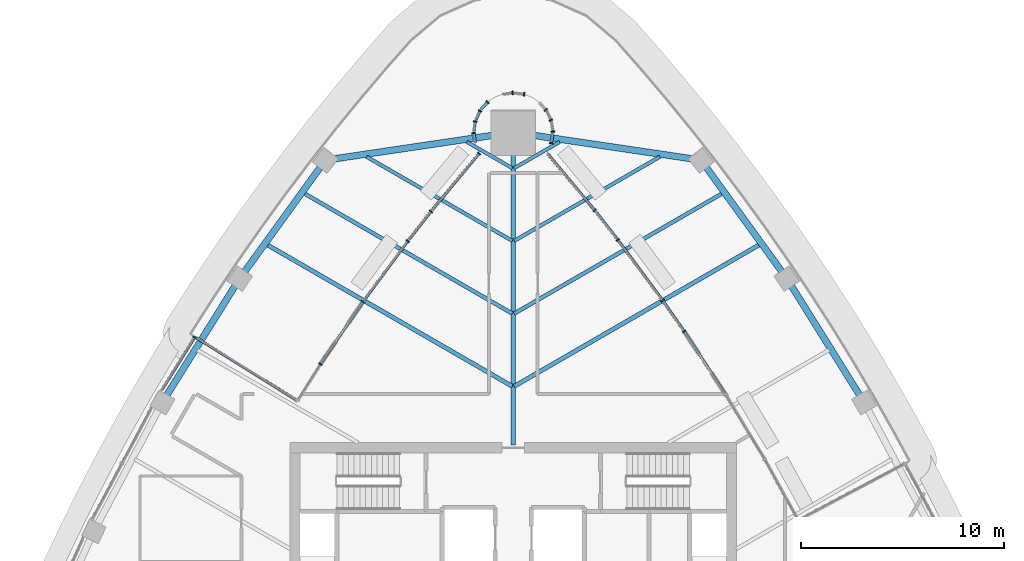
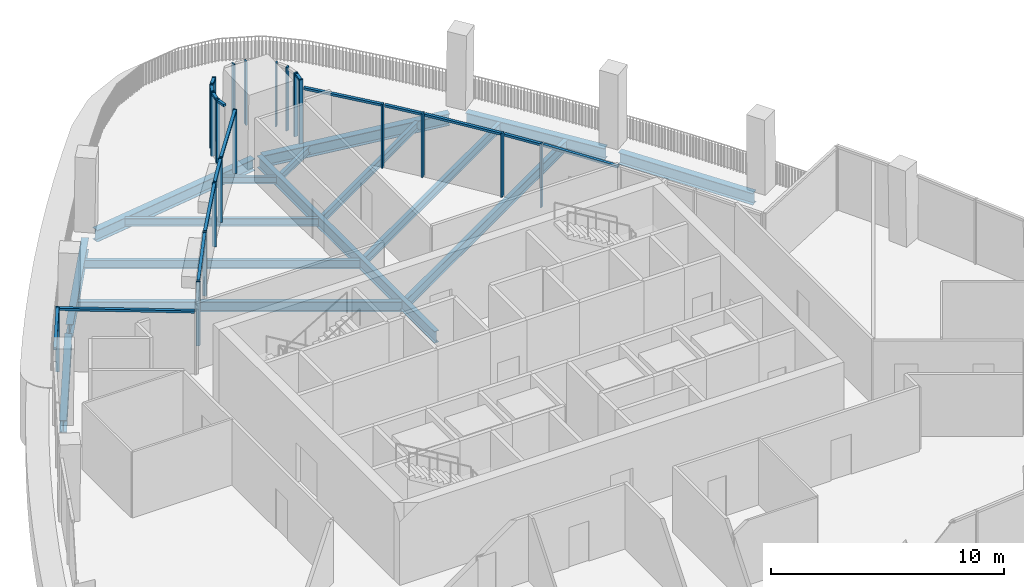
# One storey, part 6 of 18: 36 members, 15 beams, 22 elements without a shape of their own.
"""IFC4 building model written with IfcOpenShell, lengths in metres."""

from ifc_helpers import new_model, si_unit, direction, frame, origin, origin_2d, place, context, subcontext, project, spatial, rectangle, i_section, extrude, material, layer, layer_set, material_profile, profile_set, type_object, element, aggregate, save


model = new_model("IFC4")

# Units and contexts
model_context = context("Model", 3, precision=1e-05, world=origin(), true_north=direction((0.0, 1.0)))
body_context = subcontext(model_context, "Body", "Model", "MODEL_VIEW")
ifc_project = project(units=[si_unit("LENGTHUNIT", "METRE"), si_unit("AREAUNIT", "SQUARE_METRE"), si_unit("VOLUMEUNIT", "CUBIC_METRE"), si_unit("PLANEANGLEUNIT", "RADIAN"), si_unit("MASSUNIT", "GRAM", prefix="KILO")], contexts=[model_context])

# Site, building, storey
site_placement = place(None, origin())
site = spatial("IfcSite", under=ifc_project, at=site_placement, CompositionType="ELEMENT")
building_placement = place(site_placement, origin())
building = spatial("IfcBuilding", under=site, at=building_placement, Name="Sierra Prisma Convention Tower", CompositionType="ELEMENT")
storey_placement = place(building_placement, frame((0.0, 0.0, 307.0)))
storey = spatial("IfcBuildingStorey", under=building, at=storey_placement, Name="L70", CompositionType="ELEMENT", Elevation=307.0)

# Curtain wall, member
ifc_material_1 = material(Name="Aluminium and glass curtain wall", Category="aluminium")
ifc_layer_1 = layer(ifc_material_1, 0.179931640625)
ifc_layer_set_1 = layer_set([ifc_layer_1], Name="CW-1 Plain shaft curtain wall")
curtain_wall_type_1 = type_object("IfcCurtainWallType", Name="CW-1 Plain shaft curtain wall", PredefinedType="NOTDEFINED", material=ifc_layer_set_1)
curtain_wall_1_placement = place(storey_placement, origin())
curtain_wall_1 = element("IfcCurtainWall", 1, at=curtain_wall_1_placement, inside=storey, type_object=curtain_wall_type_1, Name="CW-1 NW3b L70", PredefinedType="NOTDEFINED")
ifc_material_2 = material(Name="Aluminium 6063-T6 bronze anodised", Category="aluminium")
ifc_material_profile_1 = material_profile(ifc_material_2, rectangle(XDim=0.179931640625, YDim=0.070068359375, at=origin_2d()), Name="ALU MULLION 70x180")
ifc_profile_set_1 = profile_set([ifc_material_profile_1], Name="Aluminium 6063-T6 bronze anodised")
member_type_1 = type_object("IfcMemberType", Name="CW mullion bronze", PredefinedType="MULLION", material=ifc_profile_set_1)
member_1_placement = place(storey_placement, frame((-15.70947265625, 13.1923828125, 0.0), z_axis=(0.0, 0.0, 1.0), x_axis=(0.848264860922, -0.529572210114, 0.0)))
member_1 = element("IfcMember", 2, at=member_1_placement, type_object=member_type_1, Name="CW-1 mullion NW3b.1", PredefinedType="MULLION", context=body_context, shape_type="SweptSolid", body=[
    extrude(rectangle(XDim=0.179931640625, YDim=0.070068359375, at=origin_2d()), origin(), (0.0, 0.0, 1.0), 3.39990234375),
])

ifc_material_3 = material(Name="Aluminium and glass curtain wall", Category="aluminium")
ifc_layer_2 = layer(ifc_material_3, 0.179931640625)
ifc_layer_set_2 = layer_set([ifc_layer_2], Name="CW-6 Terrace recess curtain wall")
curtain_wall_type_2 = type_object("IfcCurtainWallType", Name="CW-6 Terrace recess curtain wall", PredefinedType="NOTDEFINED", material=ifc_layer_set_2)
curtain_wall_2_placement = place(storey_placement, origin())
curtain_wall_2 = element("IfcCurtainWall", 3, at=curtain_wall_2_placement, inside=storey, type_object=curtain_wall_type_2, Name="CW-6 R4 L70", PredefinedType="NOTDEFINED")
member_2_placement = place(storey_placement, frame((8.429443359375, 13.482666015625, 0.0), z_axis=(0.0, 0.0, 1.0), x_axis=(-0.820635446514, -0.571452066166, 0.0)))
member_2 = element("IfcMember", 4, at=member_2_placement, type_object=member_type_1, Name="CW-6 mullion R4.1", PredefinedType="MULLION", context=body_context, shape_type="SweptSolid", body=[
    extrude(rectangle(XDim=0.179931640625, YDim=0.070068359375, at=origin_2d()), origin(), (0.0, 0.0, 1.0), 3.340087890625),
])

curtain_wall_3_placement = place(storey_placement, origin())
curtain_wall_3 = element("IfcCurtainWall", 5, at=curtain_wall_3_placement, inside=storey, type_object=curtain_wall_type_2, Name="CW-6 R5 L70", PredefinedType="NOTDEFINED")
member_3_placement = place(storey_placement, frame((7.36669921875, 15.007080078125, 0.0), z_axis=(0.0, 0.0, 1.0), x_axis=(-0.804181409477, -0.59438393371, 0.0)))
member_3 = element("IfcMember", 6, at=member_3_placement, type_object=member_type_1, Name="CW-6 mullion R5.1", PredefinedType="MULLION", context=body_context, shape_type="SweptSolid", body=[
    extrude(rectangle(XDim=0.179931640625, YDim=0.070068359375, at=origin_2d()), origin(), (0.0, 0.0, 1.0), 3.340087890625),
])

curtain_wall_4_placement = place(storey_placement, origin())
curtain_wall_4 = element("IfcCurtainWall", 7, at=curtain_wall_4_placement, inside=storey, type_object=curtain_wall_type_2, Name="CW-6 R6 L70", PredefinedType="NOTDEFINED")
member_4_placement = place(storey_placement, frame((5.15673828125, 17.995361328125, 0.0), z_axis=(0.0, 0.0, 1.0), x_axis=(-0.787086756786, -0.616842311528, 0.0)))
member_4 = element("IfcMember", 8, at=member_4_placement, type_object=member_type_1, Name="CW-6 mullion R6.1", PredefinedType="MULLION", context=body_context, shape_type="SweptSolid", body=[
    extrude(rectangle(XDim=0.179931640625, YDim=0.070068359375, at=origin_2d()), origin(), (0.0, 0.0, 1.0), 3.340087890625),
])

curtain_wall_5_placement = place(storey_placement, origin())
curtain_wall_5 = element("IfcCurtainWall", 9, at=curtain_wall_5_placement, inside=storey, type_object=curtain_wall_type_2, Name="CW-6 R7 L70", PredefinedType="NOTDEFINED")
member_5_placement = place(storey_placement, frame((4.009521484375, 19.45751953125, 0.0), z_axis=(0.0, 0.0, 1.0), x_axis=(-0.76938606645, -0.63878406426, 0.0)))
member_5 = element("IfcMember", 10, at=member_5_placement, type_object=member_type_1, Name="CW-6 mullion R7.1", PredefinedType="MULLION", context=body_context, shape_type="SweptSolid", body=[
    extrude(rectangle(XDim=0.179931640625, YDim=0.070068359375, at=origin_2d()), origin(), (0.0, 0.0, 1.0), 3.340087890625),
])

curtain_wall_6_placement = place(storey_placement, origin())
curtain_wall_6 = element("IfcCurtainWall", 11, at=curtain_wall_6_placement, inside=storey, type_object=curtain_wall_type_2, Name="CW-6 R9 L70", PredefinedType="NOTDEFINED")
member_6_placement = place(storey_placement, frame((1.87646484375, 22.766845703125, 0.0), z_axis=(0.0, 0.0, 1.0), x_axis=(-0.989176509965, 0.146730474455, 0.0)))
member_6 = element("IfcMember", 12, at=member_6_placement, type_object=member_type_1, Name="CW-6 mullion R9.1", PredefinedType="MULLION", context=body_context, shape_type="SweptSolid", body=[
    extrude(rectangle(XDim=0.179931640625, YDim=0.070068359375, at=origin_2d()), origin(), (0.0, 0.0, 1.0), 3.340087890625),
])

curtain_wall_7_placement = place(storey_placement, origin())
curtain_wall_7 = element("IfcCurtainWall", 13, at=curtain_wall_7_placement, inside=storey, type_object=curtain_wall_type_2, Name="CW-6 R10 L70", PredefinedType="NOTDEFINED")
member_7_placement = place(storey_placement, frame((1.950439453125, 23.33447265625, 0.0), z_axis=(0.0, 0.0, 1.0), x_axis=(-0.989176509965, -0.146730474455, 0.0)))
member_7 = element("IfcMember", 14, at=member_7_placement, type_object=member_type_1, Name="CW-6 mullion R10.1", PredefinedType="MULLION", context=body_context, shape_type="SweptSolid", body=[
    extrude(rectangle(XDim=0.179931640625, YDim=0.070068359375, at=origin_2d()), origin(), (0.0, 0.0, 1.0), 3.340087890625),
])
aggregate(curtain_wall_7, [member_7])

curtain_wall_8_placement = place(storey_placement, origin())
curtain_wall_8 = element("IfcCurtainWall", 15, at=curtain_wall_8_placement, inside=storey, type_object=curtain_wall_type_2, Name="CW-6 R11 L70", PredefinedType="NOTDEFINED")
member_8_placement = place(storey_placement, frame((1.8564453125, 23.899169921875, 0.0), z_axis=(0.0, 0.0, 1.0), x_axis=(-0.903989293123, -0.42755509343, 0.0)))
member_8 = element("IfcMember", 16, at=member_8_placement, type_object=member_type_1, Name="CW-6 mullion R11.1", PredefinedType="MULLION", context=body_context, shape_type="SweptSolid", body=[
    extrude(rectangle(XDim=0.179931640625, YDim=0.070068359375, at=origin_2d()), origin(), (0.0, 0.0, 1.0), 3.340087890625),
])
aggregate(curtain_wall_8, [member_8])

curtain_wall_9_placement = place(storey_placement, origin())
curtain_wall_9 = element("IfcCurtainWall", 17, at=curtain_wall_9_placement, inside=storey, type_object=curtain_wall_type_2, Name="CW-6 R12 L70", PredefinedType="NOTDEFINED")
member_9_placement = place(storey_placement, frame((1.6025390625, 24.412353515625, 0.0), z_axis=(0.0, 0.0, 1.0), x_axis=(-0.740951125355, -0.671558954847, 0.0)))
member_9 = element("IfcMember", 18, at=member_9_placement, type_object=member_type_1, Name="CW-6 mullion R12.1", PredefinedType="MULLION", context=body_context, shape_type="SweptSolid", body=[
    extrude(rectangle(XDim=0.179931640625, YDim=0.070068359375, at=origin_2d()), origin(), (0.0, 0.0, 1.0), 3.340087890625),
])
aggregate(curtain_wall_9, [member_9])

curtain_wall_10_placement = place(storey_placement, origin())
curtain_wall_10 = element("IfcCurtainWall", 19, at=curtain_wall_10_placement, inside=storey, type_object=curtain_wall_type_2, Name="CW-6 R15 L70", PredefinedType="NOTDEFINED")
member_10_placement = place(storey_placement, frame((0.532958984375, 25.176513671875, 0.0), z_axis=(0.0, 0.0, 1.0), x_axis=(-0.146730474455, -0.989176509965, 0.0)))
member_10 = element("IfcMember", 20, at=member_10_placement, type_object=member_type_1, Name="CW-6 mullion R15.1", PredefinedType="MULLION", context=body_context, shape_type="SweptSolid", body=[
    extrude(rectangle(XDim=0.179931640625, YDim=0.070068359375, at=origin_2d()), origin(), (0.0, 0.0, 1.0), 3.340087890625),
])
aggregate(curtain_wall_10, [member_10])

curtain_wall_11_placement = place(storey_placement, origin())
curtain_wall_11 = element("IfcCurtainWall", 21, at=curtain_wall_11_placement, inside=storey, type_object=curtain_wall_type_2, Name="CW-6 R16 L70", PredefinedType="NOTDEFINED")
member_11_placement = place(storey_placement, frame((-0.03466796875, 25.250244140625, 0.0), z_axis=(0.0, 0.0, 1.0), x_axis=(0.146730474455, -0.989176509965, 0.0)))
member_11 = element("IfcMember", 22, at=member_11_placement, type_object=member_type_1, Name="CW-6 mullion R16.1", PredefinedType="MULLION", context=body_context, shape_type="SweptSolid", body=[
    extrude(rectangle(XDim=0.179931640625, YDim=0.070068359375, at=origin_2d()), origin(), (0.0, 0.0, 1.0), 3.340087890625),
])
aggregate(curtain_wall_11, [member_11])

curtain_wall_12_placement = place(storey_placement, origin())
curtain_wall_12 = element("IfcCurtainWall", 23, at=curtain_wall_12_placement, inside=storey, type_object=curtain_wall_type_2, Name="CW-6 R19 L70", PredefinedType="NOTDEFINED")
member_12_placement = place(storey_placement, frame((-1.26416015625, 24.78564453125, 0.0), z_axis=(0.0, 0.0, 1.0), x_axis=(0.740951125355, -0.671558954847, 0.0)))
member_12 = element("IfcMember", 24, at=member_12_placement, type_object=member_type_1, Name="CW-6 mullion R19.1", PredefinedType="MULLION", context=body_context, shape_type="SweptSolid", body=[
    extrude(rectangle(XDim=0.179931640625, YDim=0.070068359375, at=origin_2d()), origin(), (0.0, 0.0, 1.0), 3.340087890625),
])

curtain_wall_13_placement = place(storey_placement, origin())
curtain_wall_13 = element("IfcCurtainWall", 25, at=curtain_wall_13_placement, inside=storey, type_object=curtain_wall_type_2, Name="CW-6 R20 L70", PredefinedType="NOTDEFINED")
member_13_placement = place(storey_placement, frame((-1.64111328125, 24.354736328125, 0.0), z_axis=(0.0, 0.0, 1.0), x_axis=(0.903989293123, -0.42755509343, 0.0)))
member_13 = element("IfcMember", 26, at=member_13_placement, type_object=member_type_1, Name="CW-6 mullion R20.1", PredefinedType="MULLION", context=body_context, shape_type="SweptSolid", body=[
    extrude(rectangle(XDim=0.179931640625, YDim=0.070068359375, at=origin_2d()), origin(), (0.0, 0.0, 1.0), 3.340087890625),
])

curtain_wall_14_placement = place(storey_placement, origin())
curtain_wall_14 = element("IfcCurtainWall", 27, at=curtain_wall_14_placement, inside=storey, type_object=curtain_wall_type_2, Name="CW-6 R21 L70", PredefinedType="NOTDEFINED")
member_14_placement = place(storey_placement, frame((-1.87646484375, 23.8330078125, 0.0), z_axis=(0.0, 0.0, 1.0), x_axis=(0.989176509965, -0.146730474455, 0.0)))
member_14 = element("IfcMember", 28, at=member_14_placement, type_object=member_type_1, Name="CW-6 mullion R21.1", PredefinedType="MULLION", context=body_context, shape_type="SweptSolid", body=[
    extrude(rectangle(XDim=0.179931640625, YDim=0.070068359375, at=origin_2d()), origin(), (0.0, 0.0, 1.0), 3.340087890625),
])

curtain_wall_15_placement = place(storey_placement, origin())
curtain_wall_15 = element("IfcCurtainWall", 29, at=curtain_wall_15_placement, inside=storey, type_object=curtain_wall_type_2, Name="CW-6 R22 L70", PredefinedType="NOTDEFINED")
member_15_placement = place(storey_placement, frame((-1.950439453125, 23.26513671875, 0.0), z_axis=(0.0, 0.0, 1.0), x_axis=(0.989176509965, 0.146730474455, 0.0)))
member_15 = element("IfcMember", 30, at=member_15_placement, type_object=member_type_1, Name="CW-6 mullion R22.1", PredefinedType="MULLION", context=body_context, shape_type="SweptSolid", body=[
    extrude(rectangle(XDim=0.179931640625, YDim=0.070068359375, at=origin_2d()), origin(), (0.0, 0.0, 1.0), 3.340087890625),
])

curtain_wall_16_placement = place(storey_placement, origin())
curtain_wall_16 = element("IfcCurtainWall", 31, at=curtain_wall_16_placement, inside=storey, type_object=curtain_wall_type_2, Name="CW-6 R24 L70", PredefinedType="NOTDEFINED")
member_16_placement = place(storey_placement, frame((-1.6884765625, 22.253173828125, 0.0), z_axis=(0.0, 0.0, 1.0), x_axis=(0.76938606645, -0.63878406426, 0.0)))
member_16 = element("IfcMember", 32, at=member_16_placement, type_object=member_type_1, Name="CW-6 mullion R24.1", PredefinedType="MULLION", context=body_context, shape_type="SweptSolid", body=[
    extrude(rectangle(XDim=0.179931640625, YDim=0.070068359375, at=origin_2d()), origin(), (0.0, 0.0, 1.0), 3.340087890625),
])

curtain_wall_17_placement = place(storey_placement, origin())
curtain_wall_17 = element("IfcCurtainWall", 33, at=curtain_wall_17_placement, inside=storey, type_object=curtain_wall_type_2, Name="CW-6 R25 L70", PredefinedType="NOTDEFINED")
member_17_placement = place(storey_placement, frame((-4.053466796875, 19.403076171875, 0.0), z_axis=(0.0, 0.0, 1.0), x_axis=(0.787086756786, -0.616842311528, 0.0)))
member_17 = element("IfcMember", 34, at=member_17_placement, type_object=member_type_1, Name="CW-6 mullion R25.1", PredefinedType="MULLION", context=body_context, shape_type="SweptSolid", body=[
    extrude(rectangle(XDim=0.179931640625, YDim=0.070068359375, at=origin_2d()), origin(), (0.0, 0.0, 1.0), 3.340087890625),
])

curtain_wall_18_placement = place(storey_placement, origin())
curtain_wall_18 = element("IfcCurtainWall", 35, at=curtain_wall_18_placement, inside=storey, type_object=curtain_wall_type_2, Name="CW-6 R26 L70", PredefinedType="NOTDEFINED")
member_18_placement = place(storey_placement, frame((-5.19921875, 17.939697265625, 0.0), z_axis=(0.0, 0.0, 1.0), x_axis=(0.804181409477, -0.59438393371, 0.0)))
member_18 = element("IfcMember", 36, at=member_18_placement, type_object=member_type_1, Name="CW-6 mullion R26.1", PredefinedType="MULLION", context=body_context, shape_type="SweptSolid", body=[
    extrude(rectangle(XDim=0.179931640625, YDim=0.070068359375, at=origin_2d()), origin(), (0.0, 0.0, 1.0), 3.340087890625),
])

curtain_wall_19_placement = place(storey_placement, origin())
curtain_wall_19 = element("IfcCurtainWall", 37, at=curtain_wall_19_placement, inside=storey, type_object=curtain_wall_type_2, Name="CW-6 R27 L70", PredefinedType="NOTDEFINED")
member_19_placement = place(storey_placement, frame((-7.4072265625, 14.9501953125, 0.0), z_axis=(0.0, 0.0, 1.0), x_axis=(0.825975486124, -0.563706037153, 0.0)))
member_19 = element("IfcMember", 38, at=member_19_placement, type_object=member_type_1, Name="CW-6 mullion R27.1", PredefinedType="MULLION", context=body_context, shape_type="SweptSolid", body=[
    extrude(rectangle(XDim=0.179931640625, YDim=0.070068359375, at=origin_2d()), origin(), (0.0, 0.0, 1.0), 3.340087890625),
])

curtain_wall_20_placement = place(storey_placement, origin())
curtain_wall_20 = element("IfcCurtainWall", 39, at=curtain_wall_20_placement, inside=storey, type_object=curtain_wall_type_2, Name="CW-6 R28 L70", PredefinedType="NOTDEFINED")
member_20_placement = place(storey_placement, frame((-9.501220703125, 11.87939453125, 0.0), z_axis=(0.0, 0.0, 1.0), x_axis=(0.846599886402, -0.532229867956, 0.0)))
member_20 = element("IfcMember", 40, at=member_20_placement, type_object=member_type_1, Name="CW-6 mullion R28.1", PredefinedType="MULLION", context=body_context, shape_type="SweptSolid", body=[
    extrude(rectangle(XDim=0.179931640625, YDim=0.070068359375, at=origin_2d()), origin(), (0.0, 0.0, 1.0), 3.340087890625),
])
aggregate(curtain_wall_20, [member_20])

# Member
ifc_material_4 = material(Name="Aluminium 6063-T6 bronze anodised", Category="aluminium")
ifc_material_profile_2 = material_profile(ifc_material_4, rectangle(XDim=0.139892578125, YDim=0.1201171875, at=origin_2d()), Name="ALU TRANSOM 120x140")
ifc_profile_set_2 = profile_set([ifc_material_profile_2], Name="Aluminium 6063-T6 bronze anodised")
member_type_2 = type_object("IfcMemberType", Name="CW transom bronze", PredefinedType="USERDEFINED", material=ifc_profile_set_2)
member_21_placement = place(storey_placement, frame((-15.72802734375, 13.162841796875, 3.340087890625), z_axis=(-0.529562495896, -0.848270925436, 0.0), x_axis=(0.848270925436, -0.529562495896, 0.0)))
member_21 = element("IfcMember", 41, at=member_21_placement, type_object=member_type_2, Name="CW-1 transom NW3b.1", ObjectType="TRANSOM", PredefinedType="USERDEFINED", context=body_context, shape_type="SweptSolid", body=[
    extrude(rectangle(XDim=0.139892578125, YDim=0.1201171875, at=origin_2d()), origin(), (0.0, 0.0, 1.0), 3.017333984375),
])

aggregate(curtain_wall_1, [member_1, member_21])

# Curtain wall, member
curtain_wall_21_placement = place(storey_placement, origin())
curtain_wall_21 = element("IfcCurtainWall", 42, at=curtain_wall_21_placement, inside=storey, type_object=curtain_wall_type_2, Name="CW-6 R3 L70", PredefinedType="NOTDEFINED")
member_22_placement = place(storey_placement, frame((10.447998046875, 10.40380859375, 3.280029296875), z_axis=(-0.548082252047, 0.836424440694, 0.0), x_axis=(-0.836424440694, -0.548082252047, 0.0)))
member_22 = element("IfcMember", 43, at=member_22_placement, type_object=member_type_2, Name="CW-6 transom R3.1", ObjectType="TRANSOM", PredefinedType="USERDEFINED", context=body_context, shape_type="SweptSolid", body=[
    extrude(rectangle(XDim=0.139892578125, YDim=0.1201171875, at=origin_2d()), origin(), (0.0, 0.0, 1.0), 3.576416015625),
])
aggregate(curtain_wall_21, [member_22])

# Member
member_23_placement = place(storey_placement, frame((8.409423828125, 13.511474609375, 3.280029296875), z_axis=(-0.571439081161, 0.82064448851, 0.0), x_axis=(-0.82064448851, -0.571439081161, 0.0)))
member_23 = element("IfcMember", 44, at=member_23_placement, type_object=member_type_2, Name="CW-6 transom R4.1", ObjectType="TRANSOM", PredefinedType="USERDEFINED", context=body_context, shape_type="SweptSolid", body=[
    extrude(rectangle(XDim=0.139892578125, YDim=0.1201171875, at=origin_2d()), origin(), (0.0, 0.0, 1.0), 1.71826171875),
])

aggregate(curtain_wall_2, [member_2, member_23])

member_24_placement = place(storey_placement, frame((7.345947265625, 15.035400390625, 3.280029296875), z_axis=(-0.594404495957, 0.804166211169, 0.0), x_axis=(-0.804166211169, -0.594404495957, 0.0)))
member_24 = element("IfcMember", 45, at=member_24_placement, type_object=member_type_2, Name="CW-6 transom R5.1", ObjectType="TRANSOM", PredefinedType="USERDEFINED", context=body_context, shape_type="SweptSolid", body=[
    extrude(rectangle(XDim=0.139892578125, YDim=0.1201171875, at=origin_2d()), origin(), (0.0, 0.0, 1.0), 3.57666015625),
])

aggregate(curtain_wall_3, [member_3, member_24])

member_25_placement = place(storey_placement, frame((5.13525390625, 18.02294921875, 3.280029296875), z_axis=(-0.616867391853, 0.787067100614, 0.0), x_axis=(-0.787067100614, -0.616867391853, 0.0)))
member_25 = element("IfcMember", 46, at=member_25_placement, type_object=member_type_2, Name="CW-6 transom R6.1", ObjectType="TRANSOM", PredefinedType="USERDEFINED", context=body_context, shape_type="SweptSolid", body=[
    extrude(rectangle(XDim=0.139892578125, YDim=0.1201171875, at=origin_2d()), origin(), (0.0, 0.0, 1.0), 1.718505859375),
])

aggregate(curtain_wall_4, [member_4, member_25])

member_26_placement = place(storey_placement, frame((3.9873046875, 19.484375, 3.280029296875), z_axis=(-0.63880204976, 0.769371133604, 0.0), x_axis=(-0.769371133604, -0.63880204976, 0.0)))
member_26 = element("IfcMember", 47, at=member_26_placement, type_object=member_type_2, Name="CW-6 transom R7.1", ObjectType="TRANSOM", PredefinedType="USERDEFINED", context=body_context, shape_type="SweptSolid", body=[
    extrude(rectangle(XDim=0.139892578125, YDim=0.1201171875, at=origin_2d()), origin(), (0.0, 0.0, 1.0), 3.56396484375),
])

aggregate(curtain_wall_5, [member_5, member_26])

member_27_placement = place(storey_placement, frame((1.881591796875, 22.801513671875, 3.280029296875), z_axis=(0.146854530217, 0.98915810008, 0.0), x_axis=(-0.98915810008, 0.146854530217, 0.0)))
member_27 = element("IfcMember", 48, at=member_27_placement, type_object=member_type_2, Name="CW-6 transom R9.1", ObjectType="TRANSOM", PredefinedType="USERDEFINED", context=body_context, shape_type="SweptSolid", body=[
    extrude(rectangle(XDim=0.139892578125, YDim=0.1201171875, at=origin_2d()), origin(), (0.0, 0.0, 1.0), 0.433837890625),
])

aggregate(curtain_wall_6, [member_6, member_27])

member_28_placement = place(storey_placement, frame((-1.28759765625, 24.759765625, 3.280029296875), z_axis=(-0.671664192487, -0.740855729904, 0.0), x_axis=(0.740855729904, -0.671664192487, 0.0)))
member_28 = element("IfcMember", 49, at=member_28_placement, type_object=member_type_2, Name="CW-6 transom R19.1", ObjectType="TRANSOM", PredefinedType="USERDEFINED", context=body_context, shape_type="SweptSolid", body=[
    extrude(rectangle(XDim=0.139892578125, YDim=0.1201171875, at=origin_2d()), origin(), (0.0, 0.0, 1.0), 0.43408203125),
])

aggregate(curtain_wall_12, [member_12, member_28])

member_29_placement = place(storey_placement, frame((-1.656005859375, 24.322998046875, 3.280029296875), z_axis=(-0.427747600509, -0.903898218971, 0.0), x_axis=(0.903898218971, -0.427747600509, 0.0)))
member_29 = element("IfcMember", 50, at=member_29_placement, type_object=member_type_2, Name="CW-6 transom R20.1", ObjectType="TRANSOM", PredefinedType="USERDEFINED", context=body_context, shape_type="SweptSolid", body=[
    extrude(rectangle(XDim=0.139892578125, YDim=0.1201171875, at=origin_2d()), origin(), (0.0, 0.0, 1.0), 0.433837890625),
])

aggregate(curtain_wall_13, [member_13, member_29])

member_30_placement = place(storey_placement, frame((-1.881591796875, 23.79833984375, 3.280029296875), z_axis=(-0.146854530217, -0.98915810008, 0.0), x_axis=(0.98915810008, -0.146854530217, 0.0)))
member_30 = element("IfcMember", 51, at=member_30_placement, type_object=member_type_2, Name="CW-6 transom R21.1", ObjectType="TRANSOM", PredefinedType="USERDEFINED", context=body_context, shape_type="SweptSolid", body=[
    extrude(rectangle(XDim=0.139892578125, YDim=0.1201171875, at=origin_2d()), origin(), (0.0, 0.0, 1.0), 0.433837890625),
])

aggregate(curtain_wall_14, [member_14, member_30])

member_31_placement = place(storey_placement, frame((-1.9453125, 23.230712890625, 3.280029296875), z_axis=(0.146854530217, -0.98915810008, 0.0), x_axis=(0.98915810008, 0.146854530217, 0.0)))
member_31 = element("IfcMember", 52, at=member_31_placement, type_object=member_type_2, Name="CW-6 transom R22.1", ObjectType="TRANSOM", PredefinedType="USERDEFINED", context=body_context, shape_type="SweptSolid", body=[
    extrude(rectangle(XDim=0.139892578125, YDim=0.1201171875, at=origin_2d()), origin(), (0.0, 0.0, 1.0), 0.433837890625),
])

aggregate(curtain_wall_15, [member_15, member_31])

member_32_placement = place(storey_placement, frame((-1.710693359375, 22.226318359375, 3.280029296875), z_axis=(-0.63880204976, -0.769371133604, 0.0), x_axis=(0.769371133604, -0.63880204976, 0.0)))
member_32 = element("IfcMember", 53, at=member_32_placement, type_object=member_type_2, Name="CW-6 transom R24.1", ObjectType="TRANSOM", PredefinedType="USERDEFINED", context=body_context, shape_type="SweptSolid", body=[
    extrude(rectangle(XDim=0.139892578125, YDim=0.1201171875, at=origin_2d()), origin(), (0.0, 0.0, 1.0), 3.56396484375),
])

aggregate(curtain_wall_16, [member_16, member_32])

member_33_placement = place(storey_placement, frame((-4.0751953125, 19.37548828125, 3.280029296875), z_axis=(-0.616867391853, -0.787067100614, 0.0), x_axis=(0.787067100614, -0.616867391853, 0.0)))
member_33 = element("IfcMember", 54, at=member_33_placement, type_object=member_type_2, Name="CW-6 transom R25.1", ObjectType="TRANSOM", PredefinedType="USERDEFINED", context=body_context, shape_type="SweptSolid", body=[
    extrude(rectangle(XDim=0.139892578125, YDim=0.1201171875, at=origin_2d()), origin(), (0.0, 0.0, 1.0), 1.718505859375),
])

aggregate(curtain_wall_17, [member_17, member_33])

member_34_placement = place(storey_placement, frame((-5.219970703125, 17.91162109375, 3.280029296875), z_axis=(-0.594404495957, -0.804166211169, 0.0), x_axis=(0.804166211169, -0.594404495957, 0.0)))
member_34 = element("IfcMember", 55, at=member_34_placement, type_object=member_type_2, Name="CW-6 transom R26.1", ObjectType="TRANSOM", PredefinedType="USERDEFINED", context=body_context, shape_type="SweptSolid", body=[
    extrude(rectangle(XDim=0.139892578125, YDim=0.1201171875, at=origin_2d()), origin(), (0.0, 0.0, 1.0), 3.57666015625),
])

aggregate(curtain_wall_18, [member_18, member_34])

member_35_placement = place(storey_placement, frame((-7.427001953125, 14.921142578125, 3.280029296875), z_axis=(-0.563709561919, -0.825973080555, 0.0), x_axis=(0.825973080555, -0.563709561919, 0.0)))
member_35 = element("IfcMember", 56, at=member_35_placement, type_object=member_type_2, Name="CW-6 transom R27.1", ObjectType="TRANSOM", PredefinedType="USERDEFINED", context=body_context, shape_type="SweptSolid", body=[
    extrude(rectangle(XDim=0.139892578125, YDim=0.1201171875, at=origin_2d()), origin(), (0.0, 0.0, 1.0), 3.576416015625),
])

aggregate(curtain_wall_19, [member_19, member_35])

# Curtain wall, member
curtain_wall_22_placement = place(storey_placement, origin())
curtain_wall_22 = element("IfcCurtainWall", 57, at=curtain_wall_22_placement, inside=storey, type_object=curtain_wall_type_2, Name="CW-6 RT2 L70", PredefinedType="NOTDEFINED")
member_36_placement = place(storey_placement, frame((-10.698974609375, 10.105712890625, 3.280029296875), z_axis=(-0.848271803329, 0.529561089655, 0.0), x_axis=(-0.529561089655, -0.848271803329, 0.0)))
member_36 = element("IfcMember", 58, at=member_36_placement, type_object=member_type_2, Name="CW-6 transom RT2.1", ObjectType="TRANSOM", PredefinedType="USERDEFINED", context=body_context, shape_type="SweptSolid", body=[
    extrude(rectangle(XDim=0.139892578125, YDim=0.1201171875, at=origin_2d()), origin(), (0.0, 0.0, 1.0), 5.81494140625),
])
aggregate(curtain_wall_22, [member_36])

# Beams
ifc_material_5 = material(Name="Steel ASTM A992 Gr 50", Category="steel")
ifc_material_profile_3 = material_profile(ifc_material_5, i_section(OverallWidth=0.172119140625, OverallDepth=0.35791015625, WebThickness=0.0078125, FlangeThickness=0.01318359375, at=origin_2d()), Name="W360x57")
ifc_profile_set_3 = profile_set([ifc_material_profile_3], Name="Steel ASTM A992 Gr 50")
beam_type_1 = type_object("IfcBeamType", Name="Floor joist W360x57", PredefinedType="JOIST", material=ifc_profile_set_3)
for number, where, z_axis, x_axis, name in (
    (59, (2.28759765625, 22.828369140625, -0.47900390625), (-0.866034804124, -0.499983717781, 0.0), (0.499983717781, -0.866034804124, 0.0), "Floor joist L70 NE13"),
    (60, (-2.28759765625, 22.828369140625, -0.47900390625), (0.866034804124, -0.499983717781, 0.0), (0.499983717781, 0.866034804124, 0.0), "Floor joist L70 NW01"),
):
    element("IfcBeam", number, at=place(storey_placement, frame(where, z_axis=z_axis, x_axis=x_axis)), inside=storey, type_object=beam_type_1, Name=name, PredefinedType="JOIST", context=body_context, shape_type="SweptSolid", body=[
        extrude(i_section(OverallWidth=0.172119140625, OverallDepth=0.35791015625, WebThickness=0.0078125, FlangeThickness=0.01318359375, at=origin_2d()), origin(), (0.0, 0.0, 1.0), 2.58837890625),
    ])
ifc_material_6 = material(Name="Steel ASTM A992 Gr 50", Category="steel")
ifc_material_profile_4 = material_profile(ifc_material_6, i_section(OverallWidth=0.177978515625, OverallDepth=0.406982421875, WebThickness=0.0078125, FlangeThickness=0.0126953125, at=origin_2d()), Name="W410x60")
ifc_profile_set_4 = profile_set([ifc_material_profile_4], Name="Steel ASTM A992 Gr 50")
beam_type_2 = type_object("IfcBeamType", Name="Floor joist W410x60", PredefinedType="JOIST", material=ifc_profile_set_4)
for number, where, z_axis, x_axis, name in (
    (61, (7.22900390625, 22.0966796875, -0.50341796875), (-0.866022849826, -0.50000442356, 0.0), (0.50000442356, -0.866022849826, 0.0), "Floor joist L70 NE12"),
    (62, (-7.22900390625, 22.0966796875, -0.50341796875), (0.866022849826, -0.50000442356, 0.0), (0.50000442356, 0.866022849826, 0.0), "Floor joist L70 NW02"),
):
    element("IfcBeam", number, at=place(storey_placement, frame(where, z_axis=z_axis, x_axis=x_axis)), inside=storey, type_object=beam_type_2, Name=name, PredefinedType="JOIST", context=body_context, shape_type="SweptSolid", body=[
        extrude(i_section(OverallWidth=0.177978515625, OverallDepth=0.406982421875, WebThickness=0.0078125, FlangeThickness=0.0126953125, at=origin_2d()), origin(), (0.0, 0.0, 1.0), 8.29443359375),
    ])
ifc_material_7 = material(Name="Steel ASTM A992 Gr 50", Category="steel")
ifc_material_profile_5 = material_profile(ifc_material_7, i_section(OverallWidth=0.18994140625, OverallDepth=0.45703125, WebThickness=0.009033203125, FlangeThickness=0.014404296875, at=origin_2d()), Name="W460x74")
ifc_profile_set_5 = profile_set([ifc_material_profile_5], Name="Steel ASTM A992 Gr 50")
beam_type_3 = type_object("IfcBeamType", Name="Floor joist W460x74", PredefinedType="JOIST", material=ifc_profile_set_5)
for number, where, z_axis, x_axis, name in (
    (63, (10.306640625, 20.2890625, -0.528564453125), (-0.866024307314, -0.500001899138, 0.0), (0.500001899138, -0.866024307314, 0.0), "Floor joist L70 NE11"),
    (64, (-10.306640625, 20.2890625, -0.528564453125), (0.866024307314, -0.500001899138, 0.0), (0.500001899138, 0.866024307314, 0.0), "Floor joist L70 NW03"),
):
    element("IfcBeam", number, at=place(storey_placement, frame(where, z_axis=z_axis, x_axis=x_axis)), inside=storey, type_object=beam_type_3, Name=name, PredefinedType="JOIST", context=body_context, shape_type="SweptSolid", body=[
        extrude(i_section(OverallWidth=0.18994140625, OverallDepth=0.45703125, WebThickness=0.009033203125, FlangeThickness=0.014404296875, at=origin_2d()), origin(), (0.0, 0.0, 1.0), 11.84814453125),
    ])
ifc_material_8 = material(Name="Steel ASTM A992 Gr 50", Category="steel")
ifc_material_profile_6 = material_profile(ifc_material_8, i_section(OverallWidth=0.208984375, OverallDepth=0.532958984375, WebThickness=0.01025390625, FlangeThickness=0.015625, at=origin_2d()), Name="W530x92")
ifc_profile_set_6 = profile_set([ifc_material_profile_6], Name="Steel ASTM A992 Gr 50")
beam_type_4 = type_object("IfcBeamType", Name="Floor joist W530x92", PredefinedType="JOIST", material=ifc_profile_set_6)
for number, where, z_axis, x_axis, name in (
    (65, (12.13818359375, 17.76171875, -0.56640625), (-0.866026606335, -0.499997917116, 0.0), (0.499997917116, -0.866026606335, 0.0), "Floor joist L70 NE10"),
    (66, (-12.13818359375, 17.76171875, -0.56640625), (0.866026606335, -0.499997917116, 0.0), (0.499997917116, 0.866026606335, 0.0), "Floor joist L70 NW04"),
):
    element("IfcBeam", number, at=place(storey_placement, frame(where, z_axis=z_axis, x_axis=x_axis)), inside=storey, type_object=beam_type_4, Name=name, PredefinedType="JOIST", context=body_context, shape_type="SweptSolid", body=[
        extrude(i_section(OverallWidth=0.208984375, OverallDepth=0.532958984375, WebThickness=0.01025390625, FlangeThickness=0.015625, at=origin_2d()), origin(), (0.0, 0.0, 1.0), 13.962890625),
    ])
ifc_material_9 = material(Name="Steel ASTM A992 Gr 50", Category="steel")
ifc_material_profile_7 = material_profile(ifc_material_9, i_section(OverallWidth=0.22998046875, OverallDepth=0.616943359375, WebThickness=0.01318359375, FlangeThickness=0.022216796875, at=origin_2d()), Name="W610x140")
ifc_profile_set_7 = profile_set([ifc_material_profile_7], Name="Steel ASTM A992 Gr 50")
beam_type_5 = type_object("IfcBeamType", Name="Radial girder W610x140", PredefinedType="BEAM", material=ifc_profile_set_7)
beam_1_placement = place(storey_placement, frame((0.0, 23.079833984375, -0.45849609375), z_axis=(0.0, -1.0, 0.0), x_axis=(1.0, 0.0, 0.0)))
element("IfcBeam", 67, at=beam_1_placement, inside=storey, type_object=beam_type_5, Name="Radial girder L70 N", PredefinedType="BEAM", context=body_context, shape_type="SweptSolid", body=[
    extrude(i_section(OverallWidth=0.22998046875, OverallDepth=0.616943359375, WebThickness=0.01318359375, FlangeThickness=0.022216796875, at=origin_2d()), origin(), (0.0, 0.0, 1.0), 15.199951171875),
])
ifc_material_10 = material(Name="Steel ASTM A992 Gr 50", Category="steel")
ifc_material_profile_8 = material_profile(ifc_material_10, i_section(OverallWidth=0.324951171875, OverallDepth=0.615966796875, WebThickness=0.013916015625, FlangeThickness=0.021484375, at=origin_2d()), Name="W610x174")
ifc_profile_set_8 = profile_set([ifc_material_profile_8], Name="Steel ASTM A992 Gr 50")
beam_type_6 = type_object("IfcBeamType", Name="Spandrel beam W610x174", PredefinedType="BEAM", material=ifc_profile_set_8)
beam_2_placement = place(storey_placement, frame((17.123291015625, 10.267333984375, -0.60791015625), z_axis=(-0.529589630548, 0.848253985087, 0.0), x_axis=(-0.848253985087, -0.529589630548, 0.0)))
element("IfcBeam", 68, at=beam_2_placement, inside=storey, type_object=beam_type_6, Name="Spandrel L70-10", PredefinedType="BEAM", context=body_context, shape_type="SweptSolid", body=[
    extrude(i_section(OverallWidth=0.324951171875, OverallDepth=0.615966796875, WebThickness=0.013916015625, FlangeThickness=0.021484375, at=origin_2d()), origin(), (0.0, 0.0, 1.0), 6.5419921875),
])
beam_3_placement = place(storey_placement, frame((13.2900390625, 16.3642578125, -0.60791015625), z_axis=(-0.586777376106, 0.809748300949, 0.0), x_axis=(-0.809748300949, -0.586777376106, 0.0)))
element("IfcBeam", 69, at=beam_3_placement, inside=storey, type_object=beam_type_6, Name="Spandrel L70-11", PredefinedType="BEAM", context=body_context, shape_type="SweptSolid", body=[
    extrude(i_section(OverallWidth=0.324951171875, OverallDepth=0.615966796875, WebThickness=0.013916015625, FlangeThickness=0.021484375, at=origin_2d()), origin(), (0.0, 0.0, 1.0), 6.542236328125),
])
for number, where, z_axis, x_axis, name in (
    (70, (8.7607421875, 22.002685546875, -0.60791015625), (-0.989214390846, 0.146474874784, 0.0), (-0.146474874784, -0.989214390846, 0.0), "Spandrel L70-12"),
    (71, (-0.219970703125, 23.267333984375, -0.60791015625), (-0.989214390846, -0.146474874784, 0.0), (0.146474874784, -0.989214390846, 0.0), "Spandrel L70-13"),
):
    element("IfcBeam", number, at=place(storey_placement, frame(where, z_axis=z_axis, x_axis=x_axis)), inside=storey, type_object=beam_type_6, Name=name, PredefinedType="BEAM", context=body_context, shape_type="SweptSolid", body=[
        extrude(i_section(OverallWidth=0.324951171875, OverallDepth=0.615966796875, WebThickness=0.013916015625, FlangeThickness=0.021484375, at=origin_2d()), origin(), (0.0, 0.0, 1.0), 8.6337890625),
    ])
beam_4_placement = place(storey_placement, frame((-9.451171875, 21.661865234375, -0.60791015625), z_axis=(-0.586777376106, -0.809748300949, 0.0), x_axis=(0.809748300949, -0.586777376106, 0.0)))
element("IfcBeam", 72, at=beam_4_placement, inside=storey, type_object=beam_type_6, Name="Spandrel L70-14", PredefinedType="BEAM", context=body_context, shape_type="SweptSolid", body=[
    extrude(i_section(OverallWidth=0.324951171875, OverallDepth=0.615966796875, WebThickness=0.013916015625, FlangeThickness=0.021484375, at=origin_2d()), origin(), (0.0, 0.0, 1.0), 6.542236328125),
])
beam_5_placement = place(storey_placement, frame((-13.65869140625, 15.816650390625, -0.60791015625), z_axis=(-0.529589630548, -0.848253985087, 0.0), x_axis=(0.848253985087, -0.529589630548, 0.0)))
element("IfcBeam", 73, at=beam_5_placement, inside=storey, type_object=beam_type_6, Name="Spandrel L70-15", PredefinedType="BEAM", context=body_context, shape_type="SweptSolid", body=[
    extrude(i_section(OverallWidth=0.324951171875, OverallDepth=0.615966796875, WebThickness=0.013916015625, FlangeThickness=0.021484375, at=origin_2d()), origin(), (0.0, 0.0, 1.0), 6.5419921875),
])

save(model, "model.ifc")
